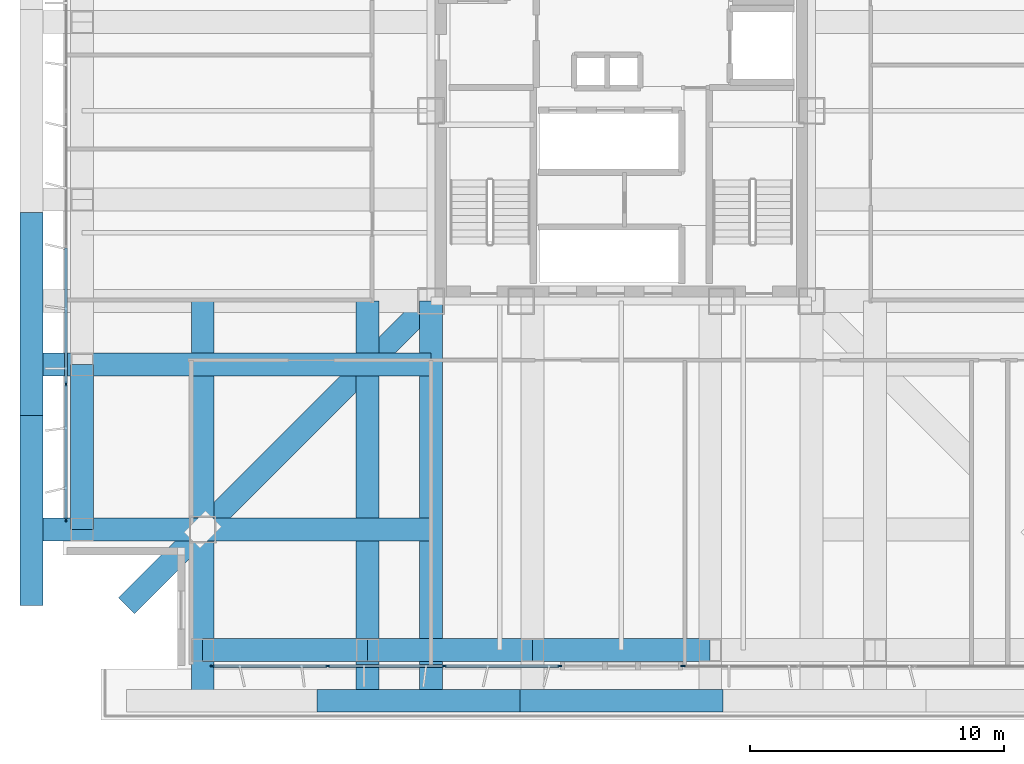
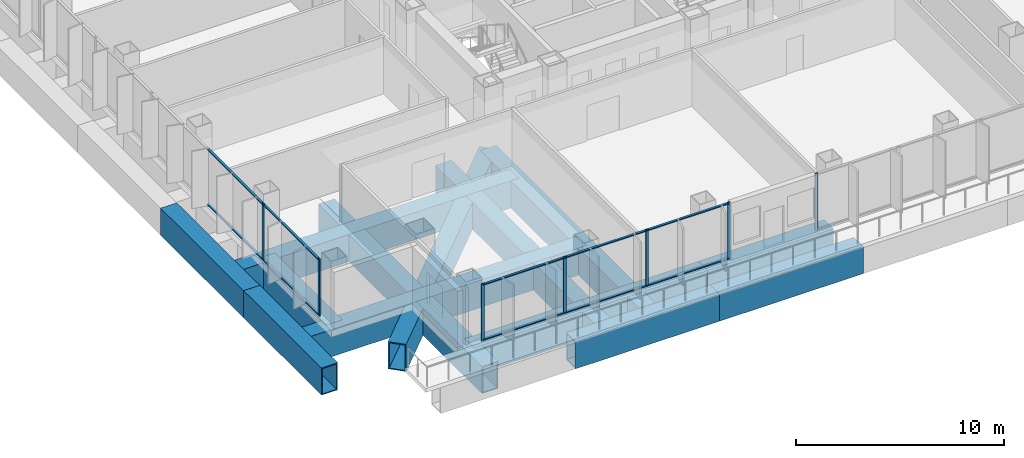
# One storey, part 2 of 17: 17 members, 14 beams, 3 elements without a shape of their own.
"""IFC4 building model written with IfcOpenShell, lengths in metres."""

from ifc_helpers import new_model, si_unit, direction, frame, origin, origin_2d, place, context, subcontext, project, spatial, rectangle, hollow_rectangle, extrude, material, layer, layer_set, material_profile, profile_set, type_object, element, aggregate, save


model = new_model("IFC4")

# Units and contexts
model_context = context("Model", 3, precision=1e-05, world=origin(), true_north=direction((0.0, 1.0)))
body_context = subcontext(model_context, "Body", "Model", "MODEL_VIEW")
ifc_project = project(units=[si_unit("LENGTHUNIT", "METRE"), si_unit("AREAUNIT", "SQUARE_METRE"), si_unit("VOLUMEUNIT", "CUBIC_METRE"), si_unit("PLANEANGLEUNIT", "RADIAN"), si_unit("MASSUNIT", "GRAM", prefix="KILO")], contexts=[model_context])

# Site, building, storey
site_placement = place(None, origin())
site = spatial("IfcSite", under=ifc_project, at=site_placement, CompositionType="ELEMENT")
building_placement = place(site_placement, origin())
building = spatial("IfcBuilding", under=site, at=building_placement, Name="Trevonay Congress Spire", CompositionType="ELEMENT")
storey_placement = place(building_placement, frame((0.0, 0.0, 94.0)))
storey = spatial("IfcBuildingStorey", under=building, at=storey_placement, Name="L23", CompositionType="ELEMENT", Elevation=94.0)

# Beams
ifc_material_1 = material(Name="Steel ASTM A572 Grade 50", Category="steel")
ifc_material_profile_1 = material_profile(ifc_material_1, hollow_rectangle(XDim=0.89990234375, YDim=1.60009765625, WallThickness=0.06005859375, at=origin_2d()), Name="BOX 1600x900x60")
ifc_profile_set_1 = profile_set([ifc_material_profile_1], Name="Steel ASTM A572 Grade 50")
beam_type_1 = type_object("IfcBeamType", Name="BM-RING-BOX1600", PredefinedType="BEAM", material=ifc_profile_set_1)
for number, where, z_axis, x_axis, name in (
    (1, (-16.5, -21.25, -1.199951171875), (1.0, 0.0, 0.0), (0.0, 1.0, 0.0), "L23 structural beam BM-L23-PS1"),
    (2, (-21.25, -16.5, -1.199951171875), (0.0, 1.0, 0.0), (-1.0, 0.0, 0.0), "L23 structural beam BM-L23-PW1"),
    (3, (-10.0, -21.25, -1.199951171875), (1.0, 0.0, 0.0), (0.0, 1.0, 0.0), "L23 structural beam BM-L23-PS2"),
):
    element("IfcBeam", number, at=place(storey_placement, frame(where, z_axis=z_axis, x_axis=x_axis)), inside=storey, type_object=beam_type_1, Name=name, PredefinedType="BEAM", context=body_context, shape_type="SweptSolid", body=[
        extrude(hollow_rectangle(XDim=0.89990234375, YDim=1.60009765625, WallThickness=0.06005859375, at=origin_2d()), origin(), (0.0, 0.0, 1.0), 6.5),
    ])
beam_1_placement = place(storey_placement, frame((-3.5, -21.25, -1.199951171875), z_axis=(1.0, 0.0, 0.0), x_axis=(0.0, 1.0, 0.0)))
element("IfcBeam", 4, at=beam_1_placement, inside=storey, type_object=beam_type_1, Name="L23 structural beam BM-L23-PS3", PredefinedType="BEAM", context=body_context, shape_type="SweptSolid", body=[
    extrude(hollow_rectangle(XDim=0.89990234375, YDim=1.60009765625, WallThickness=0.06005859375, at=origin_2d()), origin(), (0.0, 0.0, 1.0), 7.0),
])
beam_2_placement = place(storey_placement, frame((-23.25, -19.5, -1.199951171875), z_axis=(0.0, 1.0, 0.0), x_axis=(-1.0, 0.0, 0.0)))
element("IfcBeam", 5, at=beam_2_placement, inside=storey, type_object=beam_type_1, Name="L23 structural beam XOUT-L23-W0", PredefinedType="BEAM", context=body_context, shape_type="SweptSolid", body=[
    extrude(hollow_rectangle(XDim=0.89990234375, YDim=1.60009765625, WallThickness=0.06005859375, at=origin_2d()), origin(), (0.0, 0.0, 1.0), 7.5),
])
for number, where, z_axis, x_axis, name in (
    (6, (-12.0, -23.25, -1.199951171875), (1.0, 0.0, 0.0), (0.0, 1.0, 0.0), "L23 structural beam XOUT-L23-S1"),
    (7, (-23.25, -12.0, -1.199951171875), (0.0, 1.0, 0.0), (-1.0, 0.0, 0.0), "L23 structural beam XOUT-L23-W1"),
    (8, (-4.0, -23.25, -1.199951171875), (1.0, 0.0, 0.0), (0.0, 1.0, 0.0), "L23 structural beam XOUT-L23-S2"),
):
    element("IfcBeam", number, at=place(storey_placement, frame(where, z_axis=z_axis, x_axis=x_axis)), inside=storey, type_object=beam_type_1, Name=name, PredefinedType="BEAM", context=body_context, shape_type="SweptSolid", body=[
        extrude(hollow_rectangle(XDim=0.89990234375, YDim=1.60009765625, WallThickness=0.06005859375, at=origin_2d()), origin(), (0.0, 0.0, 1.0), 8.0),
    ])
ifc_material_profile_2 = material_profile(ifc_material_1, hollow_rectangle(XDim=0.89990234375, YDim=1.60009765625, WallThickness=0.06005859375, at=origin_2d()), Name="BOX 1600x900x60")
ifc_profile_set_2 = profile_set([ifc_material_profile_2], Name="Steel ASTM A572 Grade 50")
beam_type_2 = type_object("IfcBeamType", Name="BM-XFER-BOX1600", PredefinedType="BEAM", material=ifc_profile_set_2)
beam_3_placement = place(storey_placement, frame((-7.5, -7.5, -1.199951171875), z_axis=(-0.707106781187, -0.707106781187, 0.0), x_axis=(0.707106781187, -0.707106781187, 0.0)))
element("IfcBeam", 9, at=beam_3_placement, inside=storey, type_object=beam_type_2, Name="L23 structural beam BM-L23-CDSW", PredefinedType="BEAM", context=body_context, shape_type="SweptSolid", body=[
    extrude(hollow_rectangle(XDim=0.89990234375, YDim=1.60009765625, WallThickness=0.06005859375, at=origin_2d()), origin(), (0.0, 0.0, 1.0), 16.970458984375),
])
for number, where, z_axis, x_axis, name in (
    (10, (-7.5, -7.5, -1.199951171875), (0.0, -1.0, 0.0), (1.0, 0.0, 0.0), "L23 structural beam XSPN-L23-CY-SW"),
    (11, (-16.5, -7.5, -1.199951171875), (0.0, -1.0, 0.0), (1.0, 0.0, 0.0), "L23 structural beam XFER-L23-S0"),
    (12, (-7.5, -16.5, -1.199951171875), (-1.0, 0.0, 0.0), (0.0, -1.0, 0.0), "L23 structural beam XFER-L23-W0"),
    (13, (-10.0, -7.5, -1.199951171875), (0.0, -1.0, 0.0), (1.0, 0.0, 0.0), "L23 structural beam XFER-L23-S1"),
    (14, (-7.5, -10.0, -1.199951171875), (-1.0, 0.0, 0.0), (0.0, -1.0, 0.0), "L23 structural beam XFER-L23-W1"),
):
    element("IfcBeam", number, at=place(storey_placement, frame(where, z_axis=z_axis, x_axis=x_axis)), inside=storey, type_object=beam_type_2, Name=name, PredefinedType="BEAM", context=body_context, shape_type="SweptSolid", body=[
        extrude(hollow_rectangle(XDim=0.89990234375, YDim=1.60009765625, WallThickness=0.06005859375, at=origin_2d()), origin(), (0.0, 0.0, 1.0), 15.75),
    ])

# Curtain wall, members
ifc_material_2 = material(Name="Pale Anodised Aluminium EN AW-6063-T6", Category="aluminium")
ifc_layer = layer(ifc_material_2, 0.175048828125, Name="Pale Anodised Aluminium EN AW-6063-T6")
ifc_layer_set = layer_set([ifc_layer], Name="Pale Anodised Aluminium EN AW-6063-T6")
curtain_wall_type = type_object("IfcCurtainWallType", Name="CW-SYS03-CONGRESS-PALE-METAL", PredefinedType="NOTDEFINED", material=ifc_layer_set)
curtain_wall_1_placement = place(storey_placement, origin())
curtain_wall_1 = element("IfcCurtainWall", 15, at=curtain_wall_1_placement, inside=storey, type_object=curtain_wall_type, Name="L23 SA unitised curtain wall", PredefinedType="NOTDEFINED")
ifc_material_profile_3 = material_profile(ifc_material_2, rectangle(XDim=0.06005859375, YDim=0.159912109375, at=origin_2d()), Name="CW-MULLION-160-ALUMINIUM")
ifc_profile_set_3 = profile_set([ifc_material_profile_3], Name="Pale Anodised Aluminium EN AW-6063-T6")
member_type_1 = type_object("IfcMemberType", Name="CW-MULLION-160-ALUMINIUM", PredefinedType="MULLION", material=ifc_profile_set_3)
member_1_placement = place(storey_placement, frame((-16.1201171875, -21.8798828125, 0.0), z_axis=(0.0, 0.0, 1.0), x_axis=(0.0, 1.0, 0.0)))
member_1 = element("IfcMember", 16, at=member_1_placement, type_object=member_type_1, Name="CW03 mullion 1", PredefinedType="MULLION", context=body_context, shape_type="SweptSolid", body=[
    extrude(rectangle(XDim=0.06005859375, YDim=0.159912109375, at=origin_2d()), origin(), (0.0, 0.0, 1.0), 3.360107421875),
])
member_2_placement = place(storey_placement, frame((-11.566650390625, -21.8798828125, 0.0), z_axis=(0.0, 0.0, 1.0), x_axis=(0.0, 1.0, 0.0)))
member_2 = element("IfcMember", 17, at=member_2_placement, type_object=member_type_1, Name="CW03 mullion 2", PredefinedType="MULLION", context=body_context, shape_type="SweptSolid", body=[
    extrude(rectangle(XDim=0.06005859375, YDim=0.159912109375, at=origin_2d()), origin(), (0.0, 0.0, 1.0), 3.360107421875),
])
member_3_placement = place(storey_placement, frame((-6.9833984375, -21.8798828125, 0.0), z_axis=(0.0, 0.0, 1.0), x_axis=(0.0, 1.0, 0.0)))
member_3 = element("IfcMember", 18, at=member_3_placement, type_object=member_type_1, Name="CW03 mullion 3", PredefinedType="MULLION", context=body_context, shape_type="SweptSolid", body=[
    extrude(rectangle(XDim=0.06005859375, YDim=0.159912109375, at=origin_2d()), origin(), (0.0, 0.0, 1.0), 3.360107421875),
])
member_4_placement = place(storey_placement, frame((-2.429931640625, -21.8798828125, 0.0), z_axis=(0.0, 0.0, 1.0), x_axis=(0.0, 1.0, 0.0)))
member_4 = element("IfcMember", 19, at=member_4_placement, type_object=member_type_1, Name="CW03 mullion 4", PredefinedType="MULLION", context=body_context, shape_type="SweptSolid", body=[
    extrude(rectangle(XDim=0.06005859375, YDim=0.159912109375, at=origin_2d()), origin(), (0.0, 0.0, 1.0), 3.360107421875),
])

# Curtain wall, member
curtain_wall_2_placement = place(storey_placement, origin())
curtain_wall_2 = element("IfcCurtainWall", 20, at=curtain_wall_2_placement, inside=storey, type_object=curtain_wall_type, Name="L23 SB unitised curtain wall", PredefinedType="NOTDEFINED")
member_5_placement = place(storey_placement, frame((2.429931640625, -21.8798828125, 0.0), z_axis=(0.0, 0.0, 1.0), x_axis=(0.0, 1.0, 0.0)))
member_5 = element("IfcMember", 21, at=member_5_placement, type_object=member_type_1, Name="CW03 mullion 1", PredefinedType="MULLION", context=body_context, shape_type="SweptSolid", body=[
    extrude(rectangle(XDim=0.06005859375, YDim=0.159912109375, at=origin_2d()), origin(), (0.0, 0.0, 1.0), 3.360107421875),
])
aggregate(curtain_wall_2, [member_5])

# Curtain wall, members
curtain_wall_3_placement = place(storey_placement, origin())
curtain_wall_3 = element("IfcCurtainWall", 22, at=curtain_wall_3_placement, inside=storey, type_object=curtain_wall_type, Name="L23 W unitised curtain wall", PredefinedType="NOTDEFINED")
member_6_placement = place(storey_placement, frame((-21.8798828125, -16.1201171875, 0.0), z_axis=(0.0, 0.0, 1.0), x_axis=(-1.0, 0.0, 0.0)))
member_6 = element("IfcMember", 23, at=member_6_placement, type_object=member_type_1, Name="CW03 mullion 1", PredefinedType="MULLION", context=body_context, shape_type="SweptSolid", body=[
    extrude(rectangle(XDim=0.06005859375, YDim=0.159912109375, at=origin_2d()), origin(), (0.0, 0.0, 1.0), 3.360107421875),
])
member_7_placement = place(storey_placement, frame((-21.8798828125, -10.7666015625, 0.0), z_axis=(0.0, 0.0, 1.0), x_axis=(-1.0, 0.0, 0.0)))
member_7 = element("IfcMember", 24, at=member_7_placement, type_object=member_type_1, Name="CW03 mullion 2", PredefinedType="MULLION", context=body_context, shape_type="SweptSolid", body=[
    extrude(rectangle(XDim=0.06005859375, YDim=0.159912109375, at=origin_2d()), origin(), (0.0, 0.0, 1.0), 3.360107421875),
])

# Member
ifc_material_profile_4 = material_profile(ifc_material_2, rectangle(XDim=0.1201171875, YDim=0.06005859375, at=origin_2d()), Name="CW-TRANSOM-120-ALUMINIUM")
ifc_profile_set_4 = profile_set([ifc_material_profile_4], Name="Pale Anodised Aluminium EN AW-6063-T6")
member_type_2 = type_object("IfcMemberType", Name="CW-TRANSOM-120-ALUMINIUM", PredefinedType="USERDEFINED", material=ifc_profile_set_4)
member_8_placement = place(storey_placement, frame((-16.090087890625, -21.8798828125, 0.06005859375), z_axis=(1.0, 0.0, 0.0), x_axis=(0.0, 1.0, 0.0)))
member_8 = element("IfcMember", 25, at=member_8_placement, type_object=member_type_2, Name="CW03 transom 1.1", ObjectType="TRANSOM", PredefinedType="USERDEFINED", context=body_context, shape_type="SweptSolid", body=[
    extrude(rectangle(XDim=0.1201171875, YDim=0.06005859375, at=origin_2d()), origin(), (0.0, 0.0, 1.0), 4.493408203125),
])

member_9_placement = place(storey_placement, frame((-16.090087890625, -21.8798828125, 3.300048828125), z_axis=(1.0, 0.0, 0.0), x_axis=(0.0, 1.0, 0.0)))
member_9 = element("IfcMember", 26, at=member_9_placement, type_object=member_type_2, Name="CW03 transom 1.2", ObjectType="TRANSOM", PredefinedType="USERDEFINED", context=body_context, shape_type="SweptSolid", body=[
    extrude(rectangle(XDim=0.1201171875, YDim=0.06005859375, at=origin_2d()), origin(), (0.0, 0.0, 1.0), 4.493408203125),
])

member_10_placement = place(storey_placement, frame((-11.53662109375, -21.8798828125, 0.06005859375), z_axis=(1.0, 0.0, 0.0), x_axis=(0.0, 1.0, 0.0)))
member_10 = element("IfcMember", 27, at=member_10_placement, type_object=member_type_2, Name="CW03 transom 2.1", ObjectType="TRANSOM", PredefinedType="USERDEFINED", context=body_context, shape_type="SweptSolid", body=[
    extrude(rectangle(XDim=0.1201171875, YDim=0.06005859375, at=origin_2d()), origin(), (0.0, 0.0, 1.0), 4.523193359375),
])

member_11_placement = place(storey_placement, frame((-11.53662109375, -21.8798828125, 3.300048828125), z_axis=(1.0, 0.0, 0.0), x_axis=(0.0, 1.0, 0.0)))
member_11 = element("IfcMember", 28, at=member_11_placement, type_object=member_type_2, Name="CW03 transom 2.2", ObjectType="TRANSOM", PredefinedType="USERDEFINED", context=body_context, shape_type="SweptSolid", body=[
    extrude(rectangle(XDim=0.1201171875, YDim=0.06005859375, at=origin_2d()), origin(), (0.0, 0.0, 1.0), 4.523193359375),
])

member_12_placement = place(storey_placement, frame((-6.953369140625, -21.8798828125, 0.06005859375), z_axis=(1.0, 0.0, 0.0), x_axis=(0.0, 1.0, 0.0)))
member_12 = element("IfcMember", 29, at=member_12_placement, type_object=member_type_2, Name="CW03 transom 3.1", ObjectType="TRANSOM", PredefinedType="USERDEFINED", context=body_context, shape_type="SweptSolid", body=[
    extrude(rectangle(XDim=0.1201171875, YDim=0.06005859375, at=origin_2d()), origin(), (0.0, 0.0, 1.0), 4.493408203125),
])

member_13_placement = place(storey_placement, frame((-6.953369140625, -21.8798828125, 3.300048828125), z_axis=(1.0, 0.0, 0.0), x_axis=(0.0, 1.0, 0.0)))
member_13 = element("IfcMember", 30, at=member_13_placement, type_object=member_type_2, Name="CW03 transom 3.2", ObjectType="TRANSOM", PredefinedType="USERDEFINED", context=body_context, shape_type="SweptSolid", body=[
    extrude(rectangle(XDim=0.1201171875, YDim=0.06005859375, at=origin_2d()), origin(), (0.0, 0.0, 1.0), 4.493408203125),
])

aggregate(curtain_wall_1, [member_1, member_2, member_3, member_4, member_8, member_9, member_10, member_11, member_12, member_13])

member_14_placement = place(storey_placement, frame((-21.8798828125, -16.090087890625, 0.06005859375), z_axis=(0.0, 1.0, 0.0), x_axis=(-1.0, 0.0, 0.0)))
member_14 = element("IfcMember", 31, at=member_14_placement, type_object=member_type_2, Name="CW03 transom 1.1", ObjectType="TRANSOM", PredefinedType="USERDEFINED", context=body_context, shape_type="SweptSolid", body=[
    extrude(rectangle(XDim=0.1201171875, YDim=0.06005859375, at=origin_2d()), origin(), (0.0, 0.0, 1.0), 5.29345703125),
])

member_15_placement = place(storey_placement, frame((-21.8798828125, -16.090087890625, 3.300048828125), z_axis=(0.0, 1.0, 0.0), x_axis=(-1.0, 0.0, 0.0)))
member_15 = element("IfcMember", 32, at=member_15_placement, type_object=member_type_2, Name="CW03 transom 1.2", ObjectType="TRANSOM", PredefinedType="USERDEFINED", context=body_context, shape_type="SweptSolid", body=[
    extrude(rectangle(XDim=0.1201171875, YDim=0.06005859375, at=origin_2d()), origin(), (0.0, 0.0, 1.0), 5.29345703125),
])

member_16_placement = place(storey_placement, frame((-21.8798828125, -10.736572265625, 0.06005859375), z_axis=(0.0, 1.0, 0.0), x_axis=(-1.0, 0.0, 0.0)))
member_16 = element("IfcMember", 33, at=member_16_placement, type_object=member_type_2, Name="CW03 transom 2.1", ObjectType="TRANSOM", PredefinedType="USERDEFINED", context=body_context, shape_type="SweptSolid", body=[
    extrude(rectangle(XDim=0.1201171875, YDim=0.06005859375, at=origin_2d()), origin(), (0.0, 0.0, 1.0), 5.3232421875),
])

member_17_placement = place(storey_placement, frame((-21.8798828125, -10.736572265625, 3.300048828125), z_axis=(0.0, 1.0, 0.0), x_axis=(-1.0, 0.0, 0.0)))
member_17 = element("IfcMember", 34, at=member_17_placement, type_object=member_type_2, Name="CW03 transom 2.2", ObjectType="TRANSOM", PredefinedType="USERDEFINED", context=body_context, shape_type="SweptSolid", body=[
    extrude(rectangle(XDim=0.1201171875, YDim=0.06005859375, at=origin_2d()), origin(), (0.0, 0.0, 1.0), 5.3232421875),
])

aggregate(curtain_wall_3, [member_6, member_7, member_14, member_15, member_16, member_17])

save(model, "model.ifc")
